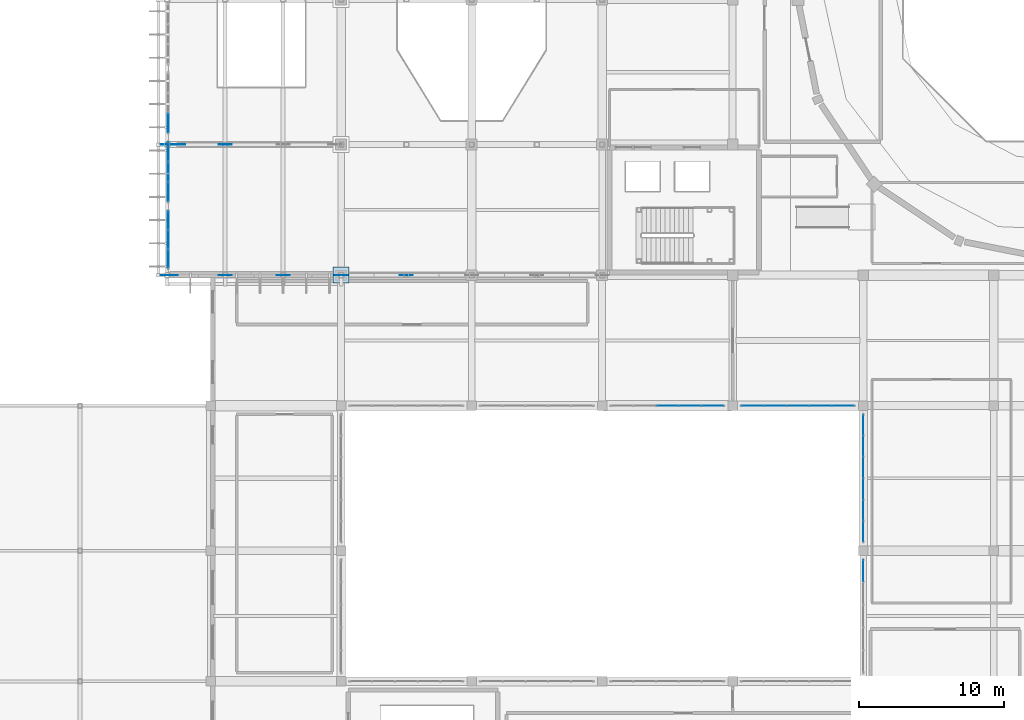
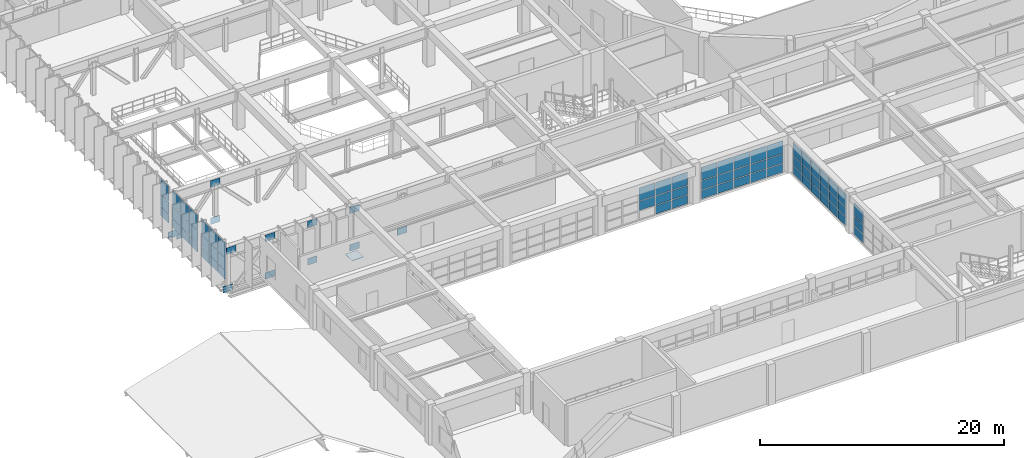
# One storey, part 91 of 130: 79 plates, 7 elements without a shape of their own.
"""IFC4 building model written with IfcOpenShell, lengths in metres."""

from ifc_helpers import new_model, si_unit, direction, frame, origin, origin_2d, place, context, subcontext, project, spatial, rectangle, extrude, material, layer, layer_set, type_object, element, aggregate, save


model = new_model("IFC4")

# Units and contexts
model_context = context("Model", 3, precision=1e-05, world=origin(), true_north=direction((0.0, 1.0)))
body_context = subcontext(model_context, "Body", "Model", "MODEL_VIEW")
ifc_project = project(units=[si_unit("LENGTHUNIT", "METRE"), si_unit("AREAUNIT", "SQUARE_METRE"), si_unit("VOLUMEUNIT", "CUBIC_METRE"), si_unit("PLANEANGLEUNIT", "RADIAN"), si_unit("MASSUNIT", "GRAM", prefix="KILO")], contexts=[model_context])

# Site, building, storey
site_placement = place(None, origin())
site = spatial("IfcSite", under=ifc_project, at=site_placement, CompositionType="ELEMENT")
building_placement = place(site_placement, origin())
building = spatial("IfcBuilding", under=site, at=building_placement, Name="Miravela Opera House", CompositionType="ELEMENT")
storey_placement = place(building_placement, frame((0.0, 0.0, 9.52001953125)))
storey = spatial("IfcBuildingStorey", under=building, at=storey_placement, Name="L02", CompositionType="ELEMENT", Elevation=9.52001953125)

# Curtain wall, plates
ifc_material_1 = material(Name="Anodised architectural bronze aluminium 6063-T6", Category="aluminium")
curtain_wall_type_1 = type_object("IfcCurtainWallType", Name="ARC-CW-06", PredefinedType="NOTDEFINED", material=ifc_material_1)
curtain_wall_1_placement = place(storey_placement, origin())
curtain_wall_1 = element("IfcCurtainWall", 1, at=curtain_wall_1_placement, inside=storey, type_object=curtain_wall_type_1, Name="Courtyard Arcade Curtain Wall CW-L02-140", PredefinedType="NOTDEFINED")
ifc_material_2 = material(Name="Acoustic laminated low-E insulating glass", Category="glass")
ifc_layer_1 = layer(ifc_material_2, 0.028076171875)
ifc_layer_set_1 = layer_set([ifc_layer_1])
plate_type_1 = type_object("IfcPlateType", Name="ARC-CWP-28", PredefinedType="CURTAIN_PANEL", material=ifc_layer_set_1)
plate_1_placement = place(storey_placement, frame((49.5, 28.0, 0.97998046875), z_axis=(0.0, 0.0, 1.0), x_axis=(1.0, 0.0, 0.0)))
plate_1 = element("IfcPlate", 2, at=plate_1_placement, type_object=plate_type_1, Name="CW-06 panel 3.2", PredefinedType="CURTAIN_PANEL", context=body_context, shape_type="SweptSolid", body=[
    extrude(rectangle(XDim=1.508056640625, YDim=0.028076171875, at=origin_2d()), origin(), (0.0, 0.0, 1.0), 0.898193359375),
])
plate_2_placement = place(storey_placement, frame((49.5, 28.0, 1.93798828125), z_axis=(0.0, 0.0, 1.0), x_axis=(1.0, 0.0, 0.0)))
plate_2 = element("IfcPlate", 3, at=plate_2_placement, type_object=plate_type_1, Name="CW-06 panel 3.3", PredefinedType="CURTAIN_PANEL", context=body_context, shape_type="SweptSolid", body=[
    extrude(rectangle(XDim=1.508056640625, YDim=0.028076171875, at=origin_2d()), origin(), (0.0, 0.0, 1.0), 1.291748046875),
])
plate_3_placement = place(storey_placement, frame((51.068115234375, 28.0, 0.06005859375), z_axis=(0.0, 0.0, 1.0), x_axis=(1.0, 0.0, 0.0)))
plate_3 = element("IfcPlate", 4, at=plate_3_placement, type_object=plate_type_1, Name="CW-06 panel 4.1", PredefinedType="CURTAIN_PANEL", context=body_context, shape_type="SweptSolid", body=[
    extrude(rectangle(XDim=1.508056640625, YDim=0.028076171875, at=origin_2d()), origin(), (0.0, 0.0, 1.0), 0.860107421875),
])
plate_4_placement = place(storey_placement, frame((51.068115234375, 28.0, 0.97998046875), z_axis=(0.0, 0.0, 1.0), x_axis=(1.0, 0.0, 0.0)))
plate_4 = element("IfcPlate", 5, at=plate_4_placement, type_object=plate_type_1, Name="CW-06 panel 4.2", PredefinedType="CURTAIN_PANEL", context=body_context, shape_type="SweptSolid", body=[
    extrude(rectangle(XDim=1.508056640625, YDim=0.028076171875, at=origin_2d()), origin(), (0.0, 0.0, 1.0), 0.898193359375),
])
plate_5_placement = place(storey_placement, frame((51.068115234375, 28.0, 1.93798828125), z_axis=(0.0, 0.0, 1.0), x_axis=(1.0, 0.0, 0.0)))
plate_5 = element("IfcPlate", 6, at=plate_5_placement, type_object=plate_type_1, Name="CW-06 panel 4.3", PredefinedType="CURTAIN_PANEL", context=body_context, shape_type="SweptSolid", body=[
    extrude(rectangle(XDim=1.508056640625, YDim=0.028076171875, at=origin_2d()), origin(), (0.0, 0.0, 1.0), 1.291748046875),
])
plate_6_placement = place(storey_placement, frame((52.62109375, 28.0, 0.06005859375), z_axis=(0.0, 0.0, 1.0), x_axis=(1.0, 0.0, 0.0)))
plate_6 = element("IfcPlate", 7, at=plate_6_placement, type_object=plate_type_1, Name="CW-06 panel 5.1", PredefinedType="CURTAIN_PANEL", context=body_context, shape_type="SweptSolid", body=[
    extrude(rectangle(XDim=1.47802734375, YDim=0.028076171875, at=origin_2d()), origin(), (0.0, 0.0, 1.0), 0.860107421875),
])
plate_7_placement = place(storey_placement, frame((52.62109375, 28.0, 0.97998046875), z_axis=(0.0, 0.0, 1.0), x_axis=(1.0, 0.0, 0.0)))
plate_7 = element("IfcPlate", 8, at=plate_7_placement, type_object=plate_type_1, Name="CW-06 panel 5.2", PredefinedType="CURTAIN_PANEL", context=body_context, shape_type="SweptSolid", body=[
    extrude(rectangle(XDim=1.47802734375, YDim=0.028076171875, at=origin_2d()), origin(), (0.0, 0.0, 1.0), 0.898193359375),
])
plate_8_placement = place(storey_placement, frame((52.62109375, 28.0, 1.93798828125), z_axis=(0.0, 0.0, 1.0), x_axis=(1.0, 0.0, 0.0)))
plate_8 = element("IfcPlate", 9, at=plate_8_placement, type_object=plate_type_1, Name="CW-06 panel 5.3", PredefinedType="CURTAIN_PANEL", context=body_context, shape_type="SweptSolid", body=[
    extrude(rectangle(XDim=1.47802734375, YDim=0.028076171875, at=origin_2d()), origin(), (0.0, 0.0, 1.0), 1.291748046875),
])
aggregate(curtain_wall_1, [plate_1, plate_2, plate_3, plate_4, plate_5, plate_6, plate_7, plate_8])

curtain_wall_2_placement = place(storey_placement, origin())
curtain_wall_2 = element("IfcCurtainWall", 10, at=curtain_wall_2_placement, inside=storey, type_object=curtain_wall_type_1, Name="Courtyard Arcade Curtain Wall CW-L02-142", PredefinedType="NOTDEFINED")
plate_9_placement = place(storey_placement, frame((55.37890625, 28.0, 0.06005859375), z_axis=(0.0, 0.0, 1.0), x_axis=(1.0, 0.0, 0.0)))
plate_9 = element("IfcPlate", 11, at=plate_9_placement, type_object=plate_type_1, Name="CW-06 panel 1.1", PredefinedType="CURTAIN_PANEL", context=body_context, shape_type="SweptSolid", body=[
    extrude(rectangle(XDim=1.47802734375, YDim=0.028076171875, at=origin_2d()), origin(), (0.0, 0.0, 1.0), 0.860107421875),
])
plate_10_placement = place(storey_placement, frame((55.37890625, 28.0, 0.97998046875), z_axis=(0.0, 0.0, 1.0), x_axis=(1.0, 0.0, 0.0)))
plate_10 = element("IfcPlate", 12, at=plate_10_placement, type_object=plate_type_1, Name="CW-06 panel 1.2", PredefinedType="CURTAIN_PANEL", context=body_context, shape_type="SweptSolid", body=[
    extrude(rectangle(XDim=1.47802734375, YDim=0.028076171875, at=origin_2d()), origin(), (0.0, 0.0, 1.0), 0.898193359375),
])
plate_11_placement = place(storey_placement, frame((55.37890625, 28.0, 1.93798828125), z_axis=(0.0, 0.0, 1.0), x_axis=(1.0, 0.0, 0.0)))
plate_11 = element("IfcPlate", 13, at=plate_11_placement, type_object=plate_type_1, Name="CW-06 panel 1.3", PredefinedType="CURTAIN_PANEL", context=body_context, shape_type="SweptSolid", body=[
    extrude(rectangle(XDim=1.47802734375, YDim=0.028076171875, at=origin_2d()), origin(), (0.0, 0.0, 1.0), 1.291748046875),
])
plate_12_placement = place(storey_placement, frame((56.931884765625, 28.0, 0.06005859375), z_axis=(0.0, 0.0, 1.0), x_axis=(1.0, 0.0, 0.0)))
plate_12 = element("IfcPlate", 14, at=plate_12_placement, type_object=plate_type_1, Name="CW-06 panel 2.1", PredefinedType="CURTAIN_PANEL", context=body_context, shape_type="SweptSolid", body=[
    extrude(rectangle(XDim=1.508056640625, YDim=0.028076171875, at=origin_2d()), origin(), (0.0, 0.0, 1.0), 0.860107421875),
])
plate_13_placement = place(storey_placement, frame((56.931884765625, 28.0, 0.97998046875), z_axis=(0.0, 0.0, 1.0), x_axis=(1.0, 0.0, 0.0)))
plate_13 = element("IfcPlate", 15, at=plate_13_placement, type_object=plate_type_1, Name="CW-06 panel 2.2", PredefinedType="CURTAIN_PANEL", context=body_context, shape_type="SweptSolid", body=[
    extrude(rectangle(XDim=1.508056640625, YDim=0.028076171875, at=origin_2d()), origin(), (0.0, 0.0, 1.0), 0.898193359375),
])
plate_14_placement = place(storey_placement, frame((56.931884765625, 28.0, 1.93798828125), z_axis=(0.0, 0.0, 1.0), x_axis=(1.0, 0.0, 0.0)))
plate_14 = element("IfcPlate", 16, at=plate_14_placement, type_object=plate_type_1, Name="CW-06 panel 2.3", PredefinedType="CURTAIN_PANEL", context=body_context, shape_type="SweptSolid", body=[
    extrude(rectangle(XDim=1.508056640625, YDim=0.028076171875, at=origin_2d()), origin(), (0.0, 0.0, 1.0), 1.291748046875),
])
plate_15_placement = place(storey_placement, frame((58.5, 28.0, 0.06005859375), z_axis=(0.0, 0.0, 1.0), x_axis=(1.0, 0.0, 0.0)))
plate_15 = element("IfcPlate", 17, at=plate_15_placement, type_object=plate_type_1, Name="CW-06 panel 3.1", PredefinedType="CURTAIN_PANEL", context=body_context, shape_type="SweptSolid", body=[
    extrude(rectangle(XDim=1.508056640625, YDim=0.028076171875, at=origin_2d()), origin(), (0.0, 0.0, 1.0), 0.860107421875),
])
plate_16_placement = place(storey_placement, frame((58.5, 28.0, 0.97998046875), z_axis=(0.0, 0.0, 1.0), x_axis=(1.0, 0.0, 0.0)))
plate_16 = element("IfcPlate", 18, at=plate_16_placement, type_object=plate_type_1, Name="CW-06 panel 3.2", PredefinedType="CURTAIN_PANEL", context=body_context, shape_type="SweptSolid", body=[
    extrude(rectangle(XDim=1.508056640625, YDim=0.028076171875, at=origin_2d()), origin(), (0.0, 0.0, 1.0), 0.898193359375),
])
plate_17_placement = place(storey_placement, frame((58.5, 28.0, 1.93798828125), z_axis=(0.0, 0.0, 1.0), x_axis=(1.0, 0.0, 0.0)))
plate_17 = element("IfcPlate", 19, at=plate_17_placement, type_object=plate_type_1, Name="CW-06 panel 3.3", PredefinedType="CURTAIN_PANEL", context=body_context, shape_type="SweptSolid", body=[
    extrude(rectangle(XDim=1.508056640625, YDim=0.028076171875, at=origin_2d()), origin(), (0.0, 0.0, 1.0), 1.291748046875),
])
plate_18_placement = place(storey_placement, frame((60.068115234375, 28.0, 0.06005859375), z_axis=(0.0, 0.0, 1.0), x_axis=(1.0, 0.0, 0.0)))
plate_18 = element("IfcPlate", 20, at=plate_18_placement, type_object=plate_type_1, Name="CW-06 panel 4.1", PredefinedType="CURTAIN_PANEL", context=body_context, shape_type="SweptSolid", body=[
    extrude(rectangle(XDim=1.508056640625, YDim=0.028076171875, at=origin_2d()), origin(), (0.0, 0.0, 1.0), 0.860107421875),
])
plate_19_placement = place(storey_placement, frame((60.068115234375, 28.0, 0.97998046875), z_axis=(0.0, 0.0, 1.0), x_axis=(1.0, 0.0, 0.0)))
plate_19 = element("IfcPlate", 21, at=plate_19_placement, type_object=plate_type_1, Name="CW-06 panel 4.2", PredefinedType="CURTAIN_PANEL", context=body_context, shape_type="SweptSolid", body=[
    extrude(rectangle(XDim=1.508056640625, YDim=0.028076171875, at=origin_2d()), origin(), (0.0, 0.0, 1.0), 0.898193359375),
])
plate_20_placement = place(storey_placement, frame((60.068115234375, 28.0, 1.93798828125), z_axis=(0.0, 0.0, 1.0), x_axis=(1.0, 0.0, 0.0)))
plate_20 = element("IfcPlate", 22, at=plate_20_placement, type_object=plate_type_1, Name="CW-06 panel 4.3", PredefinedType="CURTAIN_PANEL", context=body_context, shape_type="SweptSolid", body=[
    extrude(rectangle(XDim=1.508056640625, YDim=0.028076171875, at=origin_2d()), origin(), (0.0, 0.0, 1.0), 1.291748046875),
])
plate_21_placement = place(storey_placement, frame((61.62109375, 28.0, 0.06005859375), z_axis=(0.0, 0.0, 1.0), x_axis=(1.0, 0.0, 0.0)))
plate_21 = element("IfcPlate", 23, at=plate_21_placement, type_object=plate_type_1, Name="CW-06 panel 5.1", PredefinedType="CURTAIN_PANEL", context=body_context, shape_type="SweptSolid", body=[
    extrude(rectangle(XDim=1.47802734375, YDim=0.028076171875, at=origin_2d()), origin(), (0.0, 0.0, 1.0), 0.860107421875),
])
plate_22_placement = place(storey_placement, frame((61.62109375, 28.0, 0.97998046875), z_axis=(0.0, 0.0, 1.0), x_axis=(1.0, 0.0, 0.0)))
plate_22 = element("IfcPlate", 24, at=plate_22_placement, type_object=plate_type_1, Name="CW-06 panel 5.2", PredefinedType="CURTAIN_PANEL", context=body_context, shape_type="SweptSolid", body=[
    extrude(rectangle(XDim=1.47802734375, YDim=0.028076171875, at=origin_2d()), origin(), (0.0, 0.0, 1.0), 0.898193359375),
])
plate_23_placement = place(storey_placement, frame((61.62109375, 28.0, 1.93798828125), z_axis=(0.0, 0.0, 1.0), x_axis=(1.0, 0.0, 0.0)))
plate_23 = element("IfcPlate", 25, at=plate_23_placement, type_object=plate_type_1, Name="CW-06 panel 5.3", PredefinedType="CURTAIN_PANEL", context=body_context, shape_type="SweptSolid", body=[
    extrude(rectangle(XDim=1.47802734375, YDim=0.028076171875, at=origin_2d()), origin(), (0.0, 0.0, 1.0), 1.291748046875),
])
aggregate(curtain_wall_2, [plate_9, plate_10, plate_11, plate_12, plate_13, plate_14, plate_15, plate_16, plate_17, plate_18, plate_19, plate_20, plate_21, plate_22, plate_23])

curtain_wall_3_placement = place(storey_placement, origin())
curtain_wall_3 = element("IfcCurtainWall", 26, at=curtain_wall_3_placement, inside=storey, type_object=curtain_wall_type_1, Name="Courtyard Arcade Curtain Wall CW-L02-146", PredefinedType="NOTDEFINED")
plate_24_placement = place(storey_placement, frame((63.0, 16.62109375, 0.06005859375), z_axis=(0.0, 0.0, 1.0), x_axis=(0.0, 1.0, 0.0)))
plate_24 = element("IfcPlate", 27, at=plate_24_placement, type_object=plate_type_1, Name="CW-06 panel 5.1", PredefinedType="CURTAIN_PANEL", context=body_context, shape_type="SweptSolid", body=[
    extrude(rectangle(XDim=1.47802734375, YDim=0.028076171875, at=origin_2d()), origin(), (0.0, 0.0, 1.0), 0.860107421875),
])
plate_25_placement = place(storey_placement, frame((63.0, 16.62109375, 0.97998046875), z_axis=(0.0, 0.0, 1.0), x_axis=(0.0, 1.0, 0.0)))
plate_25 = element("IfcPlate", 28, at=plate_25_placement, type_object=plate_type_1, Name="CW-06 panel 5.2", PredefinedType="CURTAIN_PANEL", context=body_context, shape_type="SweptSolid", body=[
    extrude(rectangle(XDim=1.47802734375, YDim=0.028076171875, at=origin_2d()), origin(), (0.0, 0.0, 1.0), 0.898193359375),
])
plate_26_placement = place(storey_placement, frame((63.0, 16.62109375, 1.93798828125), z_axis=(0.0, 0.0, 1.0), x_axis=(0.0, 1.0, 0.0)))
plate_26 = element("IfcPlate", 29, at=plate_26_placement, type_object=plate_type_1, Name="CW-06 panel 5.3", PredefinedType="CURTAIN_PANEL", context=body_context, shape_type="SweptSolid", body=[
    extrude(rectangle(XDim=1.47802734375, YDim=0.028076171875, at=origin_2d()), origin(), (0.0, 0.0, 1.0), 1.291748046875),
])
aggregate(curtain_wall_3, [plate_24, plate_25, plate_26])

curtain_wall_4_placement = place(storey_placement, origin())
curtain_wall_4 = element("IfcCurtainWall", 30, at=curtain_wall_4_placement, inside=storey, type_object=curtain_wall_type_1, Name="Courtyard Arcade Curtain Wall CW-L02-147", PredefinedType="NOTDEFINED")
plate_27_placement = place(storey_placement, frame((63.0, 19.331787109375, 0.06005859375), z_axis=(0.0, 0.0, 1.0), x_axis=(0.0, 1.0, 0.0)))
plate_27 = element("IfcPlate", 31, at=plate_27_placement, type_object=plate_type_1, Name="CW-06 panel 1.1", PredefinedType="CURTAIN_PANEL", context=body_context, shape_type="SweptSolid", body=[
    extrude(rectangle(XDim=1.38330078125, YDim=0.028076171875, at=origin_2d()), origin(), (0.0, 0.0, 1.0), 0.860107421875),
])
plate_28_placement = place(storey_placement, frame((63.0, 19.331787109375, 0.97998046875), z_axis=(0.0, 0.0, 1.0), x_axis=(0.0, 1.0, 0.0)))
plate_28 = element("IfcPlate", 32, at=plate_28_placement, type_object=plate_type_1, Name="CW-06 panel 1.2", PredefinedType="CURTAIN_PANEL", context=body_context, shape_type="SweptSolid", body=[
    extrude(rectangle(XDim=1.38330078125, YDim=0.028076171875, at=origin_2d()), origin(), (0.0, 0.0, 1.0), 0.898193359375),
])
plate_29_placement = place(storey_placement, frame((63.0, 19.331787109375, 1.93798828125), z_axis=(0.0, 0.0, 1.0), x_axis=(0.0, 1.0, 0.0)))
plate_29 = element("IfcPlate", 33, at=plate_29_placement, type_object=plate_type_1, Name="CW-06 panel 1.3", PredefinedType="CURTAIN_PANEL", context=body_context, shape_type="SweptSolid", body=[
    extrude(rectangle(XDim=1.38330078125, YDim=0.028076171875, at=origin_2d()), origin(), (0.0, 0.0, 1.0), 1.291748046875),
])
plate_30_placement = place(storey_placement, frame((63.0, 20.7900390625, 0.06005859375), z_axis=(0.0, 0.0, 1.0), x_axis=(0.0, 1.0, 0.0)))
plate_30 = element("IfcPlate", 34, at=plate_30_placement, type_object=plate_type_1, Name="CW-06 panel 2.1", PredefinedType="CURTAIN_PANEL", context=body_context, shape_type="SweptSolid", body=[
    extrude(rectangle(XDim=1.413330078125, YDim=0.028076171875, at=origin_2d()), origin(), (0.0, 0.0, 1.0), 0.860107421875),
])
plate_31_placement = place(storey_placement, frame((63.0, 20.7900390625, 0.97998046875), z_axis=(0.0, 0.0, 1.0), x_axis=(0.0, 1.0, 0.0)))
plate_31 = element("IfcPlate", 35, at=plate_31_placement, type_object=plate_type_1, Name="CW-06 panel 2.2", PredefinedType="CURTAIN_PANEL", context=body_context, shape_type="SweptSolid", body=[
    extrude(rectangle(XDim=1.413330078125, YDim=0.028076171875, at=origin_2d()), origin(), (0.0, 0.0, 1.0), 0.898193359375),
])
plate_32_placement = place(storey_placement, frame((63.0, 20.7900390625, 1.93798828125), z_axis=(0.0, 0.0, 1.0), x_axis=(0.0, 1.0, 0.0)))
plate_32 = element("IfcPlate", 36, at=plate_32_placement, type_object=plate_type_1, Name="CW-06 panel 2.3", PredefinedType="CURTAIN_PANEL", context=body_context, shape_type="SweptSolid", body=[
    extrude(rectangle(XDim=1.413330078125, YDim=0.028076171875, at=origin_2d()), origin(), (0.0, 0.0, 1.0), 1.291748046875),
])
plate_33_placement = place(storey_placement, frame((63.0, 22.263427734375, 0.06005859375), z_axis=(0.0, 0.0, 1.0), x_axis=(0.0, 1.0, 0.0)))
plate_33 = element("IfcPlate", 37, at=plate_33_placement, type_object=plate_type_1, Name="CW-06 panel 3.1", PredefinedType="CURTAIN_PANEL", context=body_context, shape_type="SweptSolid", body=[
    extrude(rectangle(XDim=1.413330078125, YDim=0.028076171875, at=origin_2d()), origin(), (0.0, 0.0, 1.0), 0.860107421875),
])
plate_34_placement = place(storey_placement, frame((63.0, 22.263427734375, 0.97998046875), z_axis=(0.0, 0.0, 1.0), x_axis=(0.0, 1.0, 0.0)))
plate_34 = element("IfcPlate", 38, at=plate_34_placement, type_object=plate_type_1, Name="CW-06 panel 3.2", PredefinedType="CURTAIN_PANEL", context=body_context, shape_type="SweptSolid", body=[
    extrude(rectangle(XDim=1.413330078125, YDim=0.028076171875, at=origin_2d()), origin(), (0.0, 0.0, 1.0), 0.898193359375),
])
plate_35_placement = place(storey_placement, frame((63.0, 22.263427734375, 1.93798828125), z_axis=(0.0, 0.0, 1.0), x_axis=(0.0, 1.0, 0.0)))
plate_35 = element("IfcPlate", 39, at=plate_35_placement, type_object=plate_type_1, Name="CW-06 panel 3.3", PredefinedType="CURTAIN_PANEL", context=body_context, shape_type="SweptSolid", body=[
    extrude(rectangle(XDim=1.413330078125, YDim=0.028076171875, at=origin_2d()), origin(), (0.0, 0.0, 1.0), 1.291748046875),
])
plate_36_placement = place(storey_placement, frame((63.0, 23.736572265625, 0.06005859375), z_axis=(0.0, 0.0, 1.0), x_axis=(0.0, 1.0, 0.0)))
plate_36 = element("IfcPlate", 40, at=plate_36_placement, type_object=plate_type_1, Name="CW-06 panel 4.1", PredefinedType="CURTAIN_PANEL", context=body_context, shape_type="SweptSolid", body=[
    extrude(rectangle(XDim=1.413330078125, YDim=0.028076171875, at=origin_2d()), origin(), (0.0, 0.0, 1.0), 0.860107421875),
])
plate_37_placement = place(storey_placement, frame((63.0, 23.736572265625, 0.97998046875), z_axis=(0.0, 0.0, 1.0), x_axis=(0.0, 1.0, 0.0)))
plate_37 = element("IfcPlate", 41, at=plate_37_placement, type_object=plate_type_1, Name="CW-06 panel 4.2", PredefinedType="CURTAIN_PANEL", context=body_context, shape_type="SweptSolid", body=[
    extrude(rectangle(XDim=1.413330078125, YDim=0.028076171875, at=origin_2d()), origin(), (0.0, 0.0, 1.0), 0.898193359375),
])
plate_38_placement = place(storey_placement, frame((63.0, 23.736572265625, 1.93798828125), z_axis=(0.0, 0.0, 1.0), x_axis=(0.0, 1.0, 0.0)))
plate_38 = element("IfcPlate", 42, at=plate_38_placement, type_object=plate_type_1, Name="CW-06 panel 4.3", PredefinedType="CURTAIN_PANEL", context=body_context, shape_type="SweptSolid", body=[
    extrude(rectangle(XDim=1.413330078125, YDim=0.028076171875, at=origin_2d()), origin(), (0.0, 0.0, 1.0), 1.291748046875),
])
plate_39_placement = place(storey_placement, frame((63.0, 25.2099609375, 0.06005859375), z_axis=(0.0, 0.0, 1.0), x_axis=(0.0, 1.0, 0.0)))
plate_39 = element("IfcPlate", 43, at=plate_39_placement, type_object=plate_type_1, Name="CW-06 panel 5.1", PredefinedType="CURTAIN_PANEL", context=body_context, shape_type="SweptSolid", body=[
    extrude(rectangle(XDim=1.413330078125, YDim=0.028076171875, at=origin_2d()), origin(), (0.0, 0.0, 1.0), 0.860107421875),
])
plate_40_placement = place(storey_placement, frame((63.0, 25.2099609375, 0.97998046875), z_axis=(0.0, 0.0, 1.0), x_axis=(0.0, 1.0, 0.0)))
plate_40 = element("IfcPlate", 44, at=plate_40_placement, type_object=plate_type_1, Name="CW-06 panel 5.2", PredefinedType="CURTAIN_PANEL", context=body_context, shape_type="SweptSolid", body=[
    extrude(rectangle(XDim=1.413330078125, YDim=0.028076171875, at=origin_2d()), origin(), (0.0, 0.0, 1.0), 0.898193359375),
])
plate_41_placement = place(storey_placement, frame((63.0, 25.2099609375, 1.93798828125), z_axis=(0.0, 0.0, 1.0), x_axis=(0.0, 1.0, 0.0)))
plate_41 = element("IfcPlate", 45, at=plate_41_placement, type_object=plate_type_1, Name="CW-06 panel 5.3", PredefinedType="CURTAIN_PANEL", context=body_context, shape_type="SweptSolid", body=[
    extrude(rectangle(XDim=1.413330078125, YDim=0.028076171875, at=origin_2d()), origin(), (0.0, 0.0, 1.0), 1.291748046875),
])
plate_42_placement = place(storey_placement, frame((63.0, 26.668212890625, 0.06005859375), z_axis=(0.0, 0.0, 1.0), x_axis=(0.0, 1.0, 0.0)))
plate_42 = element("IfcPlate", 46, at=plate_42_placement, type_object=plate_type_1, Name="CW-06 panel 6.1", PredefinedType="CURTAIN_PANEL", context=body_context, shape_type="SweptSolid", body=[
    extrude(rectangle(XDim=1.38330078125, YDim=0.028076171875, at=origin_2d()), origin(), (0.0, 0.0, 1.0), 0.860107421875),
])
plate_43_placement = place(storey_placement, frame((63.0, 26.668212890625, 0.97998046875), z_axis=(0.0, 0.0, 1.0), x_axis=(0.0, 1.0, 0.0)))
plate_43 = element("IfcPlate", 47, at=plate_43_placement, type_object=plate_type_1, Name="CW-06 panel 6.2", PredefinedType="CURTAIN_PANEL", context=body_context, shape_type="SweptSolid", body=[
    extrude(rectangle(XDim=1.38330078125, YDim=0.028076171875, at=origin_2d()), origin(), (0.0, 0.0, 1.0), 0.898193359375),
])
plate_44_placement = place(storey_placement, frame((63.0, 26.668212890625, 1.93798828125), z_axis=(0.0, 0.0, 1.0), x_axis=(0.0, 1.0, 0.0)))
plate_44 = element("IfcPlate", 48, at=plate_44_placement, type_object=plate_type_1, Name="CW-06 panel 6.3", PredefinedType="CURTAIN_PANEL", context=body_context, shape_type="SweptSolid", body=[
    extrude(rectangle(XDim=1.38330078125, YDim=0.028076171875, at=origin_2d()), origin(), (0.0, 0.0, 1.0), 1.291748046875),
])
aggregate(curtain_wall_4, [plate_27, plate_28, plate_29, plate_30, plate_31, plate_32, plate_33, plate_34, plate_35, plate_36, plate_37, plate_38, plate_39, plate_40, plate_41, plate_42, plate_43, plate_44])

curtain_wall_type_2 = type_object("IfcCurtainWallType", Name="ARC-CW-02", PredefinedType="NOTDEFINED", material=ifc_material_1)
curtain_wall_5_placement = place(storey_placement, origin())
curtain_wall_5 = element("IfcCurtainWall", 49, at=curtain_wall_5_placement, inside=storey, type_object=curtain_wall_type_2, Name="Cantilever West Wrapper Glazing B1 CW-L02-007", PredefinedType="NOTDEFINED")
ifc_material_3 = material(Name="Triple-glazed acoustic laminated low-E glass", Category="glass")
ifc_layer_2 = layer(ifc_material_3, 0.035888671875)
ifc_layer_set_2 = layer_set([ifc_layer_2])
plate_type_2 = type_object("IfcPlateType", Name="ARC-CWP-36", PredefinedType="CURTAIN_PANEL", material=ifc_layer_set_2)
plate_45_placement = place(storey_placement, frame((15.080078125, 38.13623046875, 0.06494140625), z_axis=(0.0, 0.0, 1.0), x_axis=(0.0, 1.0, 0.0)))
plate_45 = element("IfcPlate", 50, at=plate_45_placement, type_object=plate_type_2, Name="CW-02 panel 1.1", PredefinedType="CURTAIN_PANEL", context=body_context, shape_type="SweptSolid", body=[
    extrude(rectangle(XDim=1.242431640625, YDim=0.035888671875, at=origin_2d()), origin(), (0.0, 0.0, 1.0), 0.8525390625),
])
plate_46_placement = place(storey_placement, frame((15.080078125, 38.13623046875, 0.982421875), z_axis=(0.0, 0.0, 1.0), x_axis=(0.0, 1.0, 0.0)))
plate_46 = element("IfcPlate", 51, at=plate_46_placement, type_object=plate_type_2, Name="CW-02 panel 1.2", PredefinedType="CURTAIN_PANEL", context=body_context, shape_type="SweptSolid", body=[
    extrude(rectangle(XDim=1.242431640625, YDim=0.035888671875, at=origin_2d()), origin(), (0.0, 0.0, 1.0), 1.20068359375),
])
plate_47_placement = place(storey_placement, frame((15.080078125, 38.13623046875, 2.248046875), z_axis=(0.0, 0.0, 1.0), x_axis=(0.0, 1.0, 0.0)))
plate_47 = element("IfcPlate", 52, at=plate_47_placement, type_object=plate_type_2, Name="CW-02 panel 1.3", PredefinedType="CURTAIN_PANEL", context=body_context, shape_type="SweptSolid", body=[
    extrude(rectangle(XDim=1.242431640625, YDim=0.035888671875, at=origin_2d()), origin(), (0.0, 0.0, 1.0), 1.5068359375),
])
plate_48_placement = place(storey_placement, frame((15.080078125, 39.4599609375, 0.06494140625), z_axis=(0.0, 0.0, 1.0), x_axis=(0.0, 1.0, 0.0)))
plate_48 = element("IfcPlate", 53, at=plate_48_placement, type_object=plate_type_2, Name="CW-02 panel 2.1", PredefinedType="CURTAIN_PANEL", context=body_context, shape_type="SweptSolid", body=[
    extrude(rectangle(XDim=1.27490234375, YDim=0.035888671875, at=origin_2d()), origin(), (0.0, 0.0, 1.0), 0.8525390625),
])
plate_49_placement = place(storey_placement, frame((15.080078125, 39.4599609375, 0.982421875), z_axis=(0.0, 0.0, 1.0), x_axis=(0.0, 1.0, 0.0)))
plate_49 = element("IfcPlate", 54, at=plate_49_placement, type_object=plate_type_2, Name="CW-02 panel 2.2", PredefinedType="CURTAIN_PANEL", context=body_context, shape_type="SweptSolid", body=[
    extrude(rectangle(XDim=1.27490234375, YDim=0.035888671875, at=origin_2d()), origin(), (0.0, 0.0, 1.0), 1.20068359375),
])
plate_50_placement = place(storey_placement, frame((15.080078125, 39.4599609375, 2.248046875), z_axis=(0.0, 0.0, 1.0), x_axis=(0.0, 1.0, 0.0)))
plate_50 = element("IfcPlate", 55, at=plate_50_placement, type_object=plate_type_2, Name="CW-02 panel 2.3", PredefinedType="CURTAIN_PANEL", context=body_context, shape_type="SweptSolid", body=[
    extrude(rectangle(XDim=1.27490234375, YDim=0.035888671875, at=origin_2d()), origin(), (0.0, 0.0, 1.0), 1.5068359375),
])
plate_51_placement = place(storey_placement, frame((15.080078125, 40.78369140625, 0.06494140625), z_axis=(0.0, 0.0, 1.0), x_axis=(0.0, 1.0, 0.0)))
plate_51 = element("IfcPlate", 56, at=plate_51_placement, type_object=plate_type_2, Name="CW-02 panel 3.1", PredefinedType="CURTAIN_PANEL", context=body_context, shape_type="SweptSolid", body=[
    extrude(rectangle(XDim=1.242431640625, YDim=0.035888671875, at=origin_2d()), origin(), (0.0, 0.0, 1.0), 0.8525390625),
])
plate_52_placement = place(storey_placement, frame((15.080078125, 40.78369140625, 0.982421875), z_axis=(0.0, 0.0, 1.0), x_axis=(0.0, 1.0, 0.0)))
plate_52 = element("IfcPlate", 57, at=plate_52_placement, type_object=plate_type_2, Name="CW-02 panel 3.2", PredefinedType="CURTAIN_PANEL", context=body_context, shape_type="SweptSolid", body=[
    extrude(rectangle(XDim=1.242431640625, YDim=0.035888671875, at=origin_2d()), origin(), (0.0, 0.0, 1.0), 1.20068359375),
])
plate_53_placement = place(storey_placement, frame((15.080078125, 40.78369140625, 2.248046875), z_axis=(0.0, 0.0, 1.0), x_axis=(0.0, 1.0, 0.0)))
plate_53 = element("IfcPlate", 58, at=plate_53_placement, type_object=plate_type_2, Name="CW-02 panel 3.3", PredefinedType="CURTAIN_PANEL", context=body_context, shape_type="SweptSolid", body=[
    extrude(rectangle(XDim=1.242431640625, YDim=0.035888671875, at=origin_2d()), origin(), (0.0, 0.0, 1.0), 1.5068359375),
])
aggregate(curtain_wall_5, [plate_45, plate_46, plate_47, plate_48, plate_49, plate_50, plate_51, plate_52, plate_53])

curtain_wall_6_placement = place(storey_placement, origin())
curtain_wall_6 = element("IfcCurtainWall", 59, at=curtain_wall_6_placement, inside=storey, type_object=curtain_wall_type_2, Name="Cantilever West Wrapper Glazing B2 CW-L02-008", PredefinedType="NOTDEFINED")
plate_54_placement = place(storey_placement, frame((15.080078125, 42.74462890625, 0.06494140625), z_axis=(0.0, 0.0, 1.0), x_axis=(0.0, 1.0, 0.0)))
plate_54 = element("IfcPlate", 60, at=plate_54_placement, type_object=plate_type_2, Name="CW-02 panel 1.1", PredefinedType="CURTAIN_PANEL", context=body_context, shape_type="SweptSolid", body=[
    extrude(rectangle(XDim=1.299072265625, YDim=0.035888671875, at=origin_2d()), origin(), (0.0, 0.0, 1.0), 0.8525390625),
])
plate_55_placement = place(storey_placement, frame((15.080078125, 42.74462890625, 0.982421875), z_axis=(0.0, 0.0, 1.0), x_axis=(0.0, 1.0, 0.0)))
plate_55 = element("IfcPlate", 61, at=plate_55_placement, type_object=plate_type_2, Name="CW-02 panel 1.2", PredefinedType="CURTAIN_PANEL", context=body_context, shape_type="SweptSolid", body=[
    extrude(rectangle(XDim=1.299072265625, YDim=0.035888671875, at=origin_2d()), origin(), (0.0, 0.0, 1.0), 1.20068359375),
])
plate_56_placement = place(storey_placement, frame((15.080078125, 42.74462890625, 2.248046875), z_axis=(0.0, 0.0, 1.0), x_axis=(0.0, 1.0, 0.0)))
plate_56 = element("IfcPlate", 62, at=plate_56_placement, type_object=plate_type_2, Name="CW-02 panel 1.3", PredefinedType="CURTAIN_PANEL", context=body_context, shape_type="SweptSolid", body=[
    extrude(rectangle(XDim=1.299072265625, YDim=0.035888671875, at=origin_2d()), origin(), (0.0, 0.0, 1.0), 1.5068359375),
])
plate_57_placement = place(storey_placement, frame((15.080078125, 44.125, 0.06494140625), z_axis=(0.0, 0.0, 1.0), x_axis=(0.0, 1.0, 0.0)))
plate_57 = element("IfcPlate", 63, at=plate_57_placement, type_object=plate_type_2, Name="CW-02 panel 2.1", PredefinedType="CURTAIN_PANEL", context=body_context, shape_type="SweptSolid", body=[
    extrude(rectangle(XDim=1.331787109375, YDim=0.035888671875, at=origin_2d()), origin(), (0.0, 0.0, 1.0), 0.8525390625),
])
plate_58_placement = place(storey_placement, frame((15.080078125, 44.125, 0.982421875), z_axis=(0.0, 0.0, 1.0), x_axis=(0.0, 1.0, 0.0)))
plate_58 = element("IfcPlate", 64, at=plate_58_placement, type_object=plate_type_2, Name="CW-02 panel 2.2", PredefinedType="CURTAIN_PANEL", context=body_context, shape_type="SweptSolid", body=[
    extrude(rectangle(XDim=1.331787109375, YDim=0.035888671875, at=origin_2d()), origin(), (0.0, 0.0, 1.0), 1.20068359375),
])
plate_59_placement = place(storey_placement, frame((15.080078125, 44.125, 2.248046875), z_axis=(0.0, 0.0, 1.0), x_axis=(0.0, 1.0, 0.0)))
plate_59 = element("IfcPlate", 65, at=plate_59_placement, type_object=plate_type_2, Name="CW-02 panel 2.3", PredefinedType="CURTAIN_PANEL", context=body_context, shape_type="SweptSolid", body=[
    extrude(rectangle(XDim=1.331787109375, YDim=0.035888671875, at=origin_2d()), origin(), (0.0, 0.0, 1.0), 1.5068359375),
])
plate_60_placement = place(storey_placement, frame((15.080078125, 45.50537109375, 0.06494140625), z_axis=(0.0, 0.0, 1.0), x_axis=(0.0, 1.0, 0.0)))
plate_60 = element("IfcPlate", 66, at=plate_60_placement, type_object=plate_type_2, Name="CW-02 panel 3.1", PredefinedType="CURTAIN_PANEL", context=body_context, shape_type="SweptSolid", body=[
    extrude(rectangle(XDim=1.299072265625, YDim=0.035888671875, at=origin_2d()), origin(), (0.0, 0.0, 1.0), 0.8525390625),
])
plate_61_placement = place(storey_placement, frame((15.080078125, 45.50537109375, 0.982421875), z_axis=(0.0, 0.0, 1.0), x_axis=(0.0, 1.0, 0.0)))
plate_61 = element("IfcPlate", 67, at=plate_61_placement, type_object=plate_type_2, Name="CW-02 panel 3.2", PredefinedType="CURTAIN_PANEL", context=body_context, shape_type="SweptSolid", body=[
    extrude(rectangle(XDim=1.299072265625, YDim=0.035888671875, at=origin_2d()), origin(), (0.0, 0.0, 1.0), 1.20068359375),
])
plate_62_placement = place(storey_placement, frame((15.080078125, 45.50537109375, 2.248046875), z_axis=(0.0, 0.0, 1.0), x_axis=(0.0, 1.0, 0.0)))
plate_62 = element("IfcPlate", 68, at=plate_62_placement, type_object=plate_type_2, Name="CW-02 panel 3.3", PredefinedType="CURTAIN_PANEL", context=body_context, shape_type="SweptSolid", body=[
    extrude(rectangle(XDim=1.299072265625, YDim=0.035888671875, at=origin_2d()), origin(), (0.0, 0.0, 1.0), 1.5068359375),
])
aggregate(curtain_wall_6, [plate_54, plate_55, plate_56, plate_57, plate_58, plate_59, plate_60, plate_61, plate_62])

curtain_wall_7_placement = place(storey_placement, origin())
curtain_wall_7 = element("IfcCurtainWall", 69, at=curtain_wall_7_placement, inside=storey, type_object=curtain_wall_type_2, Name="Cantilever West Wrapper Glazing B3 CW-L02-009", PredefinedType="NOTDEFINED")
plate_63_placement = place(storey_placement, frame((15.080078125, 47.49462890625, 0.06494140625), z_axis=(0.0, 0.0, 1.0), x_axis=(0.0, 1.0, 0.0)))
plate_63 = element("IfcPlate", 70, at=plate_63_placement, type_object=plate_type_2, Name="CW-02 panel 1.1", PredefinedType="CURTAIN_PANEL", context=body_context, shape_type="SweptSolid", body=[
    extrude(rectangle(XDim=1.299072265625, YDim=0.035888671875, at=origin_2d()), origin(), (0.0, 0.0, 1.0), 0.8525390625),
])
plate_64_placement = place(storey_placement, frame((15.080078125, 47.49462890625, 0.982421875), z_axis=(0.0, 0.0, 1.0), x_axis=(0.0, 1.0, 0.0)))
plate_64 = element("IfcPlate", 71, at=plate_64_placement, type_object=plate_type_2, Name="CW-02 panel 1.2", PredefinedType="CURTAIN_PANEL", context=body_context, shape_type="SweptSolid", body=[
    extrude(rectangle(XDim=1.299072265625, YDim=0.035888671875, at=origin_2d()), origin(), (0.0, 0.0, 1.0), 1.20068359375),
])
plate_65_placement = place(storey_placement, frame((15.080078125, 47.49462890625, 2.248046875), z_axis=(0.0, 0.0, 1.0), x_axis=(0.0, 1.0, 0.0)))
plate_65 = element("IfcPlate", 72, at=plate_65_placement, type_object=plate_type_2, Name="CW-02 panel 1.3", PredefinedType="CURTAIN_PANEL", context=body_context, shape_type="SweptSolid", body=[
    extrude(rectangle(XDim=1.299072265625, YDim=0.035888671875, at=origin_2d()), origin(), (0.0, 0.0, 1.0), 1.5068359375),
])
aggregate(curtain_wall_7, [plate_63, plate_64, plate_65])

# Plates
ifc_material_4 = material(Name="Structural steel ASTM A572 Gr. 50", Category="steel")
ifc_layer_3 = layer(ifc_material_4, 0.035888671875)
ifc_layer_set_3 = layer_set([ifc_layer_3])
plate_type_3 = type_object("IfcPlateType", Name="STR-PL-BASE-1100X1100X36", PredefinedType="USERDEFINED", material=ifc_layer_set_3)
plate_66_placement = place(storey_placement, frame((27.0, 37.0, -1.40185546875), z_axis=(0.0, 0.0, 1.0), x_axis=(1.0, 0.0, 0.0)))
element("IfcPlate", 73, at=plate_66_placement, inside=storey, type_object=plate_type_3, Name="Cantilever Truss Fulcrum Bearing Plate 01", ObjectType="BASE PLATE", PredefinedType="USERDEFINED", context=body_context, shape_type="SweptSolid", body=[
    extrude(rectangle(XDim=1.10009765625, YDim=1.10009765625, at=origin_2d()), origin(), (0.0, 0.0, 1.0), 0.035888671875),
])
ifc_layer_4 = layer(ifc_material_4, 0.02392578125)
ifc_layer_set_4 = layer_set([ifc_layer_4])
plate_type_4 = type_object("IfcPlateType", Name="STR-PL-GUS-900X650X24", PredefinedType="USERDEFINED", material=ifc_layer_set_4)
for number, where, z_axis, x_axis, name in (
    (74, (15.0, 37.0, -0.7880859375), (0.0, 0.0, 1.0), (1.0, 0.0, 0.0), "Truss Node Gusset Plate 001"),
    (75, (19.0, 37.0, -0.7880859375), (0.0, 0.0, 1.0), (1.0, 0.0, 0.0), "Truss Node Gusset Plate 004"),
    (76, (23.0, 37.0, -0.7880859375), (0.0, 0.0, 1.0), (1.0, 0.0, 0.0), "Truss Node Gusset Plate 006"),
    (77, (27.0, 37.0, -0.7880859375), (0.0, 0.0, 1.0), (1.0, 0.0, 0.0), "Truss Node Gusset Plate 008"),
    (78, (31.5, 37.0, -0.7880859375), (0.0, 0.0, 1.0), (1.0, 0.0, 0.0), "Truss Node Gusset Plate 009"),
    (79, (15.0, 46.0, -0.7880859375), (0.0, 0.0, 1.0), (1.0, 0.0, 0.0), "Truss Node Gusset Plate 013"),
    (80, (19.0, 46.0, -0.7880859375), (0.0, 0.0, 1.0), (1.0, 0.0, 0.0), "Truss Node Gusset Plate 016"),
    (81, (19.0, 37.0, 2.9619140625), (0.0, 0.0, 1.0), (1.0, 0.0, 0.0), "Brace Node Gusset Plate 375"),
    (82, (15.300048828125, 37.0, 2.9619140625), (0.0, 0.0, 1.0), (1.0, 0.0, 0.0), "Brace Node Gusset Plate 376"),
    (83, (23.0, 37.0, 2.9619140625), (0.0, 0.0, 1.0), (1.0, 0.0, 0.0), "Brace Node Gusset Plate 377"),
    (84, (27.0, 37.0, 2.9619140625), (0.0, 0.0, 1.0), (1.0, 0.0, 0.0), "Brace Node Gusset Plate 378"),
    (85, (15.800048828125, 46.0, -1.137939453125), (0.0, 0.0, 1.0), (1.0, 0.0, 0.0), "Brace Node Gusset Plate 383"),
    (86, (19.0, 46.0, 2.9619140625), (0.0, 0.0, 1.0), (1.0, 0.0, 0.0), "Brace Node Gusset Plate 384"),
):
    element("IfcPlate", number, at=place(storey_placement, frame(where, z_axis=z_axis, x_axis=x_axis)), inside=storey, type_object=plate_type_4, Name=name, ObjectType="GUSSET PLATE", PredefinedType="USERDEFINED", context=body_context, shape_type="SweptSolid", body=[
        extrude(rectangle(XDim=0.89990234375, YDim=0.02392578125, at=origin_2d()), origin(), (0.0, 0.0, 1.0), 0.64990234375),
    ])

save(model, "model.ifc")
